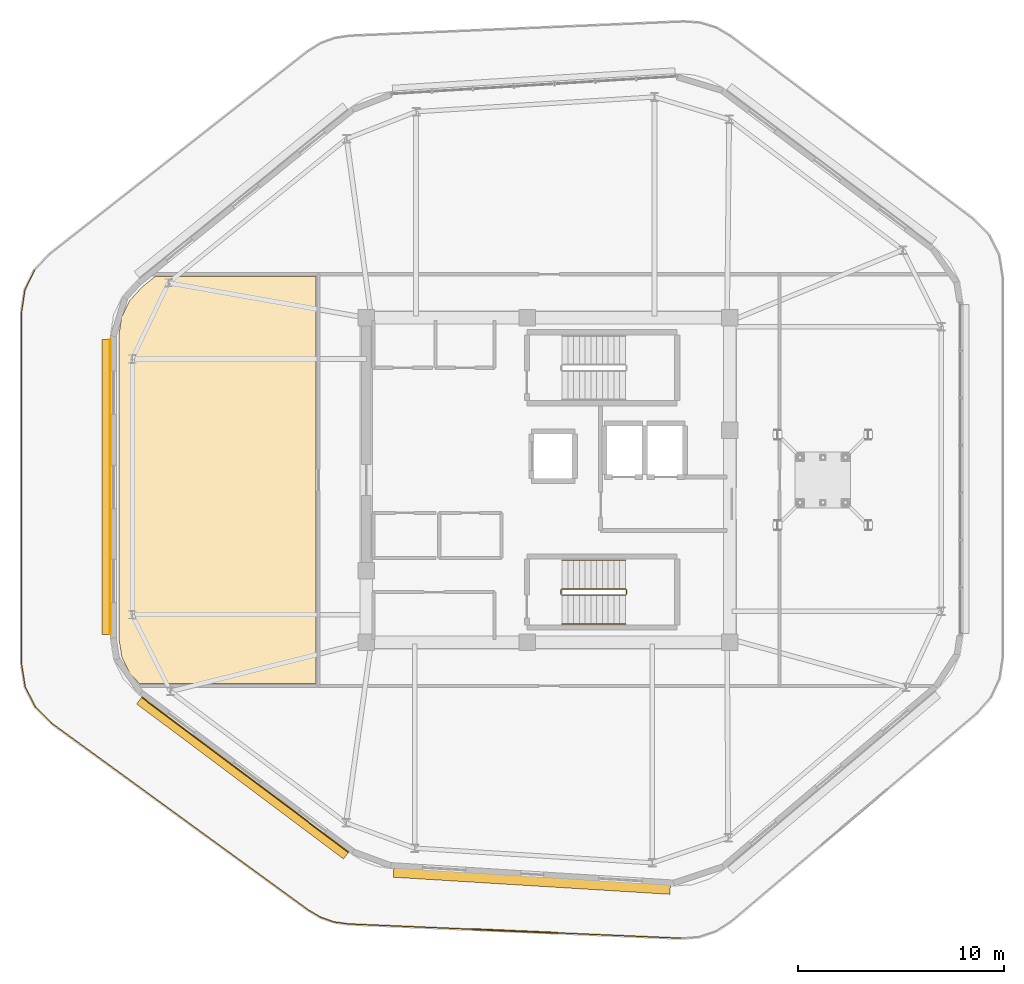
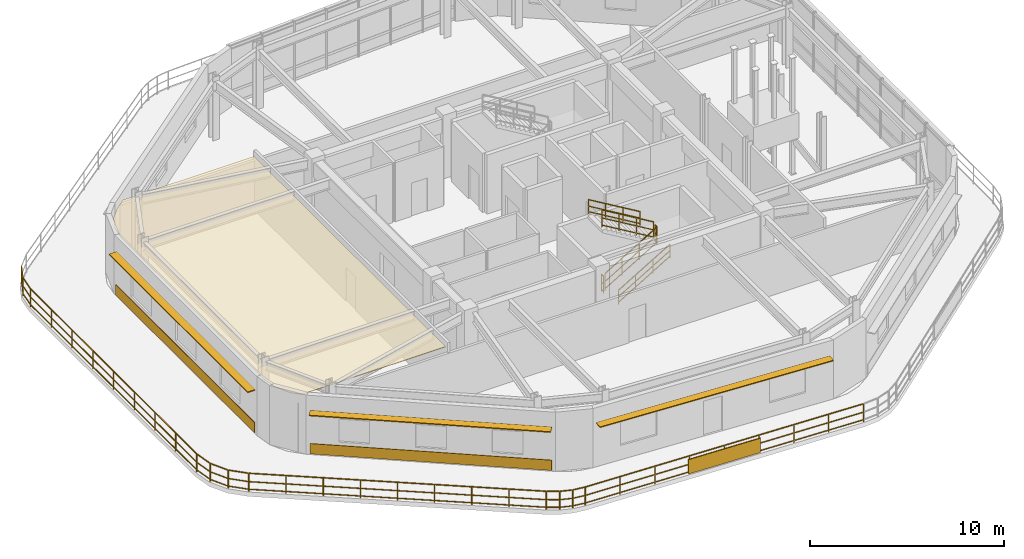
# One storey, part 11 of 13: 17 railings, 4 shading devices, 3 coverings.
"""IFC4 building model written with IfcOpenShell, lengths in metres."""

import ifcopenshell
import ifcopenshell.guid

model = None  # the IFC model being written
_history = None  # IfcOwnerHistory: only IFC2X3 demands one
_inside = {}  # id of a spatial element -> (the spatial element, [elements in it])
_under = {}  # id of a project, library or spatial element -> (it, [spatial elements below it])
_declared = {}  # id of a project -> (the project, [libraries it declares])
_typed = {}  # id of a type object -> (the type object, [elements of that type])
_made_of = {}  # id of a material, layer set ... -> (it, [elements and type objects made of it])


def new_model(schema):
    """Start an empty IFC model of exactly this schema.

    Asked for "IFC4X3", IfcOpenShell would pick the latest addendum, in which some entities
    have other attributes; the version numbers below select the first issue.
    IFC2X3 requires an IfcOwnerHistory on every rooted entity: one is made here for all.
    """
    global model, _history
    if schema == "IFC4X3":
        model = ifcopenshell.file(schema_version=(4, 3, 0, 0))
    else:
        model = ifcopenshell.file(schema=schema)
    _inside.clear()
    _under.clear()
    _declared.clear()
    _typed.clear()
    _made_of.clear()
    _history = None
    if model.schema == "IFC2X3":
        org = make("IfcOrganization", Name="unknown")
        user = make(
            "IfcPersonAndOrganization",
            ThePerson=make("IfcPerson", FamilyName="unknown"),
            TheOrganization=org,
        )
        app = make(
            "IfcApplication",
            ApplicationDeveloper=org,
            Version="unknown",
            ApplicationFullName="unknown",
            ApplicationIdentifier="unknown",
        )
        _history = make(
            "IfcOwnerHistory",
            OwningUser=user,
            OwningApplication=app,
            ChangeAction="ADDED",
            CreationDate=0,
        )
    return model


def make(cls, **values):
    """One entity of the class cls with the attributes given. An attribute that is None is left unset."""
    return model.create_entity(
        cls, **{name: value for name, value in values.items() if value is not None}
    )


def rooted(cls, **values):
    """An entity with a GlobalId (a new one), such as an element, a storey or a relation."""
    return make(cls, GlobalId=ifcopenshell.guid.new(), OwnerHistory=_history, **values)


def si_unit(unit_type, name, prefix=None):
    """IfcSIUnit, for example si_unit("LENGTHUNIT", "METRE", prefix="MILLI")."""
    return make("IfcSIUnit", UnitType=unit_type, Prefix=prefix, Name=name)


def assignment(units):
    """IfcUnitAssignment: the units of a project."""
    return None if units is None else make("IfcUnitAssignment", Units=units)


def point(xyz):
    """IfcCartesianPoint."""
    return None if xyz is None else make("IfcCartesianPoint", Coordinates=xyz)


def direction(xyz):
    """IfcDirection."""
    return None if xyz is None else make("IfcDirection", DirectionRatios=xyz)


def frame(location, z_axis=None, x_axis=None):
    """IfcAxis2Placement3D, a coordinate frame: its origin and axes. An axis left out is left unset."""
    return make(
        "IfcAxis2Placement3D",
        Location=point(location),
        Axis=direction(z_axis),
        RefDirection=direction(x_axis),
    )


def frame_2d(location, x_axis=None):
    """IfcAxis2Placement2D, a coordinate frame in the plane: its origin and x axis."""
    return make(
        "IfcAxis2Placement2D", Location=point(location), RefDirection=direction(x_axis)
    )


def origin():
    """The frame at (0, 0, 0) with its axes left unset."""
    return frame((0.0, 0.0, 0.0))


def origin_2d():
    """The frame at (0, 0) in the plane with its x axis left unset."""
    return frame_2d((0.0, 0.0))


def place(relative_to, where):
    """IfcLocalPlacement: puts the frame where relative to a parent placement (None: the world)."""
    return make(
        "IfcLocalPlacement", PlacementRelTo=relative_to, RelativePlacement=where
    )


def context(
    kind, dimensions, precision=None, world=None, true_north=None, identifier=None
):
    """IfcGeometricRepresentationContext, for example the 3D "Model" context."""
    return make(
        "IfcGeometricRepresentationContext",
        ContextIdentifier=identifier,
        ContextType=kind,
        CoordinateSpaceDimension=dimensions,
        Precision=precision,
        WorldCoordinateSystem=world,
        TrueNorth=true_north,
    )


def subcontext(parent, identifier, kind, view, scale=None):
    """IfcGeometricRepresentationSubContext, for example "Body" below "Model"."""
    return make(
        "IfcGeometricRepresentationSubContext",
        ContextIdentifier=identifier,
        ContextType=kind,
        ParentContext=parent,
        TargetScale=scale,
        TargetView=view,
    )


def project(units=None, contexts=None):
    """IfcProject with its units and contexts."""
    return rooted(
        "IfcProject",
        Name="project",
        RepresentationContexts=contexts,
        UnitsInContext=assignment(units),
    )


def spatial(cls, under=None, at=None, **own):
    """A site, building, storey or space (cls), placed at a placement, below another one or the project."""
    s = rooted(cls, ObjectPlacement=at, **own)
    if under is not None:
        _under.setdefault(under.id(), (under, []))[1].append(s)
    return s


def polyline(points):
    """IfcPolyline through the points."""
    return make("IfcPolyline", Points=[point(p) for p in points])


def profile(cls, at=None, kind="AREA", **sizes):
    """A parametric profile (cls). Its sizes go by their IFC names, for example OverallWidth=200.0."""
    return make(cls, ProfileType=kind, Position=at, **sizes)


def rectangle(**sizes):
    """IfcRectangleProfileDef."""
    return profile("IfcRectangleProfileDef", **sizes)


def outline(outer, holes=None, kind="AREA"):
    """IfcArbitraryClosedProfileDef: a profile drawn as a closed curve; with holes, ...WithVoids."""
    if holes is None:
        return make("IfcArbitraryClosedProfileDef", ProfileType=kind, OuterCurve=outer)
    return make(
        "IfcArbitraryProfileDefWithVoids",
        ProfileType=kind,
        OuterCurve=outer,
        InnerCurves=holes,
    )


def extrude(swept, where, along, depth):
    """IfcExtrudedAreaSolid: the profile swept, set in the frame where, extruded along a direction by depth."""
    return make(
        "IfcExtrudedAreaSolid",
        SweptArea=swept,
        Position=where,
        ExtrudedDirection=direction(along),
        Depth=depth,
    )


def shape(context_of_items, identifier, shape_type, items):
    """IfcShapeRepresentation: the items that make up one representation, for example the "Body"."""
    return make(
        "IfcShapeRepresentation",
        ContextOfItems=context_of_items,
        RepresentationIdentifier=identifier,
        RepresentationType=shape_type,
        Items=items,
    )


def material(Name=None, Category=None):
    """IfcMaterial."""
    return make("IfcMaterial", Name=Name, Category=Category)


def layer(
    of_material, thickness, ventilated=None, Name=None, Category=None, Priority=None
):
    """IfcMaterialLayer: one layer of a wall or slab, of a material (None: an air gap)."""
    return make(
        "IfcMaterialLayer",
        Material=of_material,
        LayerThickness=thickness,
        IsVentilated=ventilated,
        Name=Name,
        Category=Category,
        Priority=Priority,
    )


def layer_set(layers, Name=None):
    """IfcMaterialLayerSet."""
    return make("IfcMaterialLayerSet", MaterialLayers=layers, LayerSetName=Name)


def made_of(thing, what):
    """Note that an element or type object is made of a material, layer set ...; save() writes the relation."""
    if what is not None:
        _made_of.setdefault(what.id(), (what, []))[1].append(thing)
    return thing


def type_object(cls, material=None, **own):
    """A type object (cls), such as IfcWallType, which elements share."""
    return made_of(rooted(cls, **own), material)


def element(
    cls,
    number,
    at=None,
    inside=None,
    cuts=None,
    type_object=None,
    material=None,
    context=None,
    identifier="Body",
    shape_type=None,
    held_by="IfcProductDefinitionShape",
    body=None,
    shapes=None,
    **own,
):
    """One element of the class cls, such as IfcWall. Its Tag is "e" and its number.

    at: its placement. inside: the storey or other place that contains it. cuts: it is an
    opening in that element (IfcRelVoidsElement). A single representation is given by context,
    identifier, shape_type and body (its items); several are given by shapes. held_by: the class
    of the entity that holds the representations. save() writes the other relations.
    """
    e = rooted(cls, Tag="e%d" % number, ObjectPlacement=at, **own)
    if body is not None:
        shapes = [shape(context, identifier, shape_type, body)]
    if shapes is not None:
        e.Representation = make(held_by, Representations=shapes)
    if inside is not None:
        _inside.setdefault(inside.id(), (inside, []))[1].append(e)
    if cuts is not None:
        rooted(
            "IfcRelVoidsElement", RelatingBuildingElement=cuts, RelatedOpeningElement=e
        )
    if type_object is not None:
        _typed.setdefault(type_object.id(), (type_object, []))[1].append(e)
    return made_of(e, material)


def aggregate(whole, parts):
    """IfcRelAggregates: a whole, such as a stair, and the parts it consists of."""
    return rooted("IfcRelAggregates", RelatingObject=whole, RelatedObjects=parts)


def save(model, path):
    """Write the relations noted so far, then the file.

    IfcRelAggregates (storeys below a building ...), IfcRelContainedInSpatialStructure (elements
    in a storey), IfcRelDefinesByType, IfcRelAssociatesMaterial and IfcRelDeclares: one each for
    every whole, place, type object, material and project.
    """
    for whole, parts in _under.values():
        aggregate(whole, parts)
    for where, things in _inside.values():
        rooted(
            "IfcRelContainedInSpatialStructure",
            RelatedElements=things,
            RelatingStructure=where,
        )
    for kind, things in _typed.values():
        rooted("IfcRelDefinesByType", RelatedObjects=things, RelatingType=kind)
    for what, things in _made_of.values():
        rooted("IfcRelAssociatesMaterial", RelatedObjects=things, RelatingMaterial=what)
    for by, libraries in _declared.values():
        rooted("IfcRelDeclares", RelatingContext=by, RelatedDefinitions=libraries)
    model.write(path)


model = new_model("IFC4")

# Units and contexts
model_context = context("Model", 3, precision=1e-05, world=origin(), true_north=direction((0.0, 1.0)))
body_context = subcontext(model_context, "Body", "Model", "MODEL_VIEW")
ifc_project = project(units=[si_unit("LENGTHUNIT", "METRE"), si_unit("AREAUNIT", "SQUARE_METRE"), si_unit("VOLUMEUNIT", "CUBIC_METRE"), si_unit("PLANEANGLEUNIT", "RADIAN"), si_unit("MASSUNIT", "GRAM", prefix="KILO")], contexts=[model_context])

# Site, building, storey
site_placement = place(None, origin())
site = spatial("IfcSite", under=ifc_project, at=site_placement, CompositionType="ELEMENT")
building_placement = place(site_placement, origin())
building = spatial("IfcBuilding", under=site, at=building_placement, Name="Zulverin Broadcast Headquarters", CompositionType="ELEMENT")
storey_placement = place(building_placement, frame((0.0, 0.0, 313.39990234375)))
storey = spatial("IfcBuildingStorey", under=building, at=storey_placement, Name="C1", CompositionType="ELEMENT", Elevation=313.39990234375)

# Coverings
ifc_material_1 = material(Name="Perforated pale-metal acoustic baffle ceiling", Category="aluminium")
ifc_layer_1 = layer(ifc_material_1, 0.0400390625, Name="Perforated pale-metal acoustic baffle ceiling", Category="aluminium")
ifc_layer_set_1 = layer_set([ifc_layer_1], Name="Perforated pale-metal acoustic baffle ceiling")
covering_type_1 = type_object("IfcCoveringType", Name="COV-CEIL-ACOU", PredefinedType="CEILING", material=ifc_layer_set_1)
covering_1_placement = place(storey_placement, frame((0.0, 0.0, 3.39013671875)))
element("IfcCovering", 1, at=covering_1_placement, inside=storey, type_object=covering_type_1, Name="C1 Acoustic Baffle Ceiling 01", PredefinedType="CEILING", context=body_context, shape_type="SweptSolid", body=[
    extrude(outline(polyline([(18.736083984375, 33.10009765625), (18.60009765625, 32.196044921875), (18.60009765625, 17.531982421875), (18.748046875, 16.587890625), (19.159912109375, 15.763916015625), (19.595947265625, 15.320068359375), (28.179931640625, 15.320068359375), (28.179931640625, 35.080078125), (20.360107421875, 35.080078125), (19.736083984375, 34.575927734375), (19.115966796875, 33.89990234375), (18.736083984375, 33.10009765625)])), origin(), (0.0, 0.0, 1.0), 0.0400390625),
])
ifc_material_2 = material(Name="Brushed pale-aluminium rainscreen cladding", Category="aluminium")
ifc_layer_2 = layer(ifc_material_2, 0.0400390625, Name="Brushed pale-aluminium rainscreen cladding", Category="aluminium")
ifc_layer_set_2 = layer_set([ifc_layer_2], Name="Brushed pale-aluminium rainscreen cladding")
covering_type_2 = type_object("IfcCoveringType", Name="COV-CLAD-PALE", PredefinedType="CLADDING", material=ifc_layer_set_2)
covering_2_placement = place(storey_placement, frame((18.18994140625, 24.86328125, 0.05517578125), z_axis=(0.0, 0.0, 1.0), x_axis=(0.0, -1.0, 0.0)))
element("IfcCovering", 2, at=covering_2_placement, inside=storey, type_object=covering_type_2, Name="C1 Brushed Pale-Aluminium Spandrel Cladding 7", PredefinedType="CLADDING", context=body_context, shape_type="SweptSolid", body=[
    extrude(rectangle(XDim=14.32470703125, YDim=0.0400390625, at=origin_2d()), origin(), (0.0, 0.0, 1.0), 0.64990234375),
])
covering_3_placement = place(storey_placement, frame((24.739501953125, 10.886962890625, 0.05517578125), z_axis=(0.0, 0.0, 1.0), x_axis=(0.800248092733, -0.599669067134, 0.0)))
element("IfcCovering", 3, at=covering_3_placement, inside=storey, type_object=covering_type_2, Name="C1 Brushed Pale-Aluminium Spandrel Cladding 8", PredefinedType="CLADDING", context=body_context, shape_type="SweptSolid", body=[
    extrude(rectangle(XDim=12.556884765625, YDim=0.0400390625, at=origin_2d()), origin(), (0.0, 0.0, 1.0), 0.64990234375),
])

# Railings
ifc_material_3 = material(Name="Brushed stainless steel & laminated glass balustrade", Category="steel")
railing_type_1 = type_object("IfcRailingType", Name="RL-GUARD-1150", PredefinedType="GUARDRAIL", material=ifc_material_3)
railing_1_placement = place(storey_placement, frame((27.801513671875, 4.314697265625, 0.0)))
element("IfcRailing", 4, at=railing_1_placement, inside=storey, type_object=railing_type_1, Name="C1 Stepped Crown Terrace Perimeter Balustrade Segment 01", PredefinedType="GUARDRAIL", context=body_context, shape_type="SweptSolid", body=[
    extrude(rectangle(XDim=0.048095703125, YDim=0.048095703125, at=origin_2d()), frame((0.0, 0.0, 1.1259765625), z_axis=(-0.808704549938, 0.588215054984, 0.0), x_axis=(-0.588215054984, -0.808704549938, 0.0)), (0.0, 0.0, 1.0), 15.40087890625),
    extrude(rectangle(XDim=0.0419921875, YDim=0.0419921875, at=origin_2d()), frame((0.0, 0.0, 0.597900390625), z_axis=(-0.808704549938, 0.588215054984, 0.0), x_axis=(-0.588215054984, -0.808704549938, 0.0)), (0.0, 0.0, 1.0), 15.40087890625),
    extrude(rectangle(XDim=0.0419921875, YDim=0.0419921875, at=origin_2d()), frame((0.0, 0.0, 0.1201171875), z_axis=(-0.808704549938, 0.588215054984, 0.0), x_axis=(-0.588215054984, -0.808704549938, 0.0)), (0.0, 0.0, 1.0), 15.40087890625),
    extrude(rectangle(XDim=0.0419921875, YDim=0.0419921875, at=origin_2d()), origin(), (0.0, 0.0, 1.0), 1.101806640625),
    extrude(rectangle(XDim=0.0419921875, YDim=0.0419921875, at=origin_2d()), frame((-1.556884765625, 1.13232421875, 0.0)), (0.0, 0.0, 1.0), 1.101806640625),
    extrude(rectangle(XDim=0.0419921875, YDim=0.0419921875, at=origin_2d()), frame((-3.11376953125, 2.2646484375, 0.0)), (0.0, 0.0, 1.0), 1.101806640625),
    extrude(rectangle(XDim=0.0419921875, YDim=0.0419921875, at=origin_2d()), frame((-4.670654296875, 3.397216796875, 0.0)), (0.0, 0.0, 1.0), 1.101806640625),
    extrude(rectangle(XDim=0.0419921875, YDim=0.0419921875, at=origin_2d()), frame((-6.2275390625, 4.529541015625, 0.0)), (0.0, 0.0, 1.0), 1.101806640625),
    extrude(rectangle(XDim=0.0419921875, YDim=0.0419921875, at=origin_2d()), frame((-7.7841796875, 5.661865234375, 0.0)), (0.0, 0.0, 1.0), 1.101806640625),
    extrude(rectangle(XDim=0.0419921875, YDim=0.0419921875, at=origin_2d()), frame((-9.341064453125, 6.79443359375, 0.0)), (0.0, 0.0, 1.0), 1.101806640625),
    extrude(rectangle(XDim=0.0419921875, YDim=0.0419921875, at=origin_2d()), frame((-10.89794921875, 7.9267578125, 0.0)), (0.0, 0.0, 1.0), 1.101806640625),
    extrude(rectangle(XDim=0.0419921875, YDim=0.0419921875, at=origin_2d()), frame((-12.454833984375, 9.05908203125, 0.0)), (0.0, 0.0, 1.0), 1.101806640625),
])
railing_2_placement = place(storey_placement, frame((15.323974609375, 13.393310546875, 0.0)))
element("IfcRailing", 5, at=railing_2_placement, inside=storey, type_object=railing_type_1, Name="C1 Stepped Crown Terrace Perimeter Balustrade Segment 02", PredefinedType="GUARDRAIL", context=body_context, shape_type="SweptSolid", body=[
    extrude(rectangle(XDim=0.048095703125, YDim=0.048095703125, at=origin_2d()), frame((0.0, 0.0, 1.1259765625), z_axis=(-0.706766580725, 0.70744681805, 0.0), x_axis=(-0.70744681805, -0.706766580725, 0.0)), (0.0, 0.0, 1.0), 1.07666015625),
    extrude(rectangle(XDim=0.0419921875, YDim=0.0419921875, at=origin_2d()), frame((0.0, 0.0, 0.597900390625), z_axis=(-0.706766580725, 0.70744681805, 0.0), x_axis=(-0.70744681805, -0.706766580725, 0.0)), (0.0, 0.0, 1.0), 1.07666015625),
    extrude(rectangle(XDim=0.0419921875, YDim=0.0419921875, at=origin_2d()), frame((0.0, 0.0, 0.1201171875), z_axis=(-0.706766580725, 0.70744681805, 0.0), x_axis=(-0.70744681805, -0.706766580725, 0.0)), (0.0, 0.0, 1.0), 1.07666015625),
    extrude(rectangle(XDim=0.0419921875, YDim=0.0419921875, at=origin_2d()), origin(), (0.0, 0.0, 1.0), 1.101806640625),
    extrude(rectangle(XDim=0.0419921875, YDim=0.0419921875, at=origin_2d()), frame((-0.760986328125, 0.76171875, 0.0)), (0.0, 0.0, 1.0), 1.101806640625),
])
railing_3_placement = place(storey_placement, frame((14.54541015625, 14.17919921875, 0.0)))
element("IfcRailing", 6, at=railing_3_placement, inside=storey, type_object=railing_type_1, Name="C1 Stepped Crown Terrace Perimeter Balustrade Segment 03", PredefinedType="GUARDRAIL", context=body_context, shape_type="SweptSolid", body=[
    extrude(rectangle(XDim=0.048095703125, YDim=0.048095703125, at=origin_2d()), frame((0.0, 0.0, 1.1259765625), z_axis=(-0.453771982762, 0.891117830402, 0.0), x_axis=(-0.891117830402, -0.453771982762, 0.0)), (0.0, 0.0, 1.0), 1.070068359375),
    extrude(rectangle(XDim=0.0419921875, YDim=0.0419921875, at=origin_2d()), frame((0.0, 0.0, 0.597900390625), z_axis=(-0.453771982762, 0.891117830402, 0.0), x_axis=(-0.891117830402, -0.453771982762, 0.0)), (0.0, 0.0, 1.0), 1.070068359375),
    extrude(rectangle(XDim=0.0419921875, YDim=0.0419921875, at=origin_2d()), frame((0.0, 0.0, 0.1201171875), z_axis=(-0.453771982762, 0.891117830402, 0.0), x_axis=(-0.891117830402, -0.453771982762, 0.0)), (0.0, 0.0, 1.0), 1.070068359375),
    extrude(rectangle(XDim=0.0419921875, YDim=0.0419921875, at=origin_2d()), origin(), (0.0, 0.0, 1.0), 1.101806640625),
    extrude(rectangle(XDim=0.0419921875, YDim=0.0419921875, at=origin_2d()), frame((-0.485595703125, 0.95361328125, 0.0)), (0.0, 0.0, 1.0), 1.101806640625),
])
railing_4_placement = place(storey_placement, frame((14.05078125, 15.160888671875, 0.0)))
element("IfcRailing", 7, at=railing_4_placement, inside=storey, type_object=railing_type_1, Name="C1 Stepped Crown Terrace Perimeter Balustrade Segment 04", PredefinedType="GUARDRAIL", context=body_context, shape_type="SweptSolid", body=[
    extrude(rectangle(XDim=0.048095703125, YDim=0.048095703125, at=origin_2d()), frame((0.0, 0.0, 1.1259765625), z_axis=(-0.156416550984, 0.987691177736, 0.0), x_axis=(-0.987691177736, -0.156416550984, 0.0)), (0.0, 0.0, 1.0), 1.076904296875),
    extrude(rectangle(XDim=0.0419921875, YDim=0.0419921875, at=origin_2d()), frame((0.0, 0.0, 0.597900390625), z_axis=(-0.156416550984, 0.987691177736, 0.0), x_axis=(-0.987691177736, -0.156416550984, 0.0)), (0.0, 0.0, 1.0), 1.076904296875),
    extrude(rectangle(XDim=0.0419921875, YDim=0.0419921875, at=origin_2d()), frame((0.0, 0.0, 0.1201171875), z_axis=(-0.156416550984, 0.987691177736, 0.0), x_axis=(-0.987691177736, -0.156416550984, 0.0)), (0.0, 0.0, 1.0), 1.076904296875),
    extrude(rectangle(XDim=0.0419921875, YDim=0.0419921875, at=origin_2d()), origin(), (0.0, 0.0, 1.0), 1.101806640625),
    extrude(rectangle(XDim=0.0419921875, YDim=0.0419921875, at=origin_2d()), frame((-0.16845703125, 1.063720703125, 0.0)), (0.0, 0.0, 1.0), 1.101806640625),
])
railing_5_placement = place(storey_placement, frame((13.8798828125, 16.25439453125, 0.0)))
element("IfcRailing", 8, at=railing_5_placement, inside=storey, type_object=railing_type_1, Name="C1 Stepped Crown Terrace Perimeter Balustrade Segment 05", PredefinedType="GUARDRAIL", context=body_context, shape_type="SweptSolid", body=[
    extrude(rectangle(XDim=0.048095703125, YDim=0.048095703125, at=origin_2d()), frame((0.0, 0.0, 1.1259765625), z_axis=(0.0, 1.0, 0.0), x_axis=(-1.0, 0.0, 0.0)), (0.0, 0.0, 1.0), 17.110595703125),
    extrude(rectangle(XDim=0.0419921875, YDim=0.0419921875, at=origin_2d()), frame((0.0, 0.0, 0.597900390625), z_axis=(0.0, 1.0, 0.0), x_axis=(-1.0, 0.0, 0.0)), (0.0, 0.0, 1.0), 17.110595703125),
    extrude(rectangle(XDim=0.0419921875, YDim=0.0419921875, at=origin_2d()), frame((0.0, 0.0, 0.1201171875), z_axis=(0.0, 1.0, 0.0), x_axis=(-1.0, 0.0, 0.0)), (0.0, 0.0, 1.0), 17.110595703125),
    extrude(rectangle(XDim=0.0419921875, YDim=0.0419921875, at=origin_2d()), origin(), (0.0, 0.0, 1.0), 1.101806640625),
    extrude(rectangle(XDim=0.0419921875, YDim=0.0419921875, at=origin_2d()), frame((0.0, 2.138916015625, 0.0)), (0.0, 0.0, 1.0), 1.101806640625),
    extrude(rectangle(XDim=0.0419921875, YDim=0.0419921875, at=origin_2d()), frame((0.0, 4.277587890625, 0.0)), (0.0, 0.0, 1.0), 1.101806640625),
    extrude(rectangle(XDim=0.0419921875, YDim=0.0419921875, at=origin_2d()), frame((0.0, 6.41650390625, 0.0)), (0.0, 0.0, 1.0), 1.101806640625),
    extrude(rectangle(XDim=0.0419921875, YDim=0.0419921875, at=origin_2d()), frame((0.0, 8.55517578125, 0.0)), (0.0, 0.0, 1.0), 1.101806640625),
    extrude(rectangle(XDim=0.0419921875, YDim=0.0419921875, at=origin_2d()), frame((0.0, 10.694091796875, 0.0)), (0.0, 0.0, 1.0), 1.101806640625),
    extrude(rectangle(XDim=0.0419921875, YDim=0.0419921875, at=origin_2d()), frame((0.0, 12.8330078125, 0.0)), (0.0, 0.0, 1.0), 1.101806640625),
    extrude(rectangle(XDim=0.0419921875, YDim=0.0419921875, at=origin_2d()), frame((0.0, 14.9716796875, 0.0)), (0.0, 0.0, 1.0), 1.101806640625),
    extrude(rectangle(XDim=0.0419921875, YDim=0.0419921875, at=origin_2d()), frame((0.0, 17.110595703125, 0.0)), (0.0, 0.0, 1.0), 1.101806640625),
])
railing_6_placement = place(storey_placement, frame((13.88232421875, 33.39501953125, 0.0)))
element("IfcRailing", 9, at=railing_6_placement, inside=storey, type_object=railing_type_1, Name="C1 Stepped Crown Terrace Perimeter Balustrade Segment 06", PredefinedType="GUARDRAIL", context=body_context, shape_type="SweptSolid", body=[
    extrude(rectangle(XDim=0.048095703125, YDim=0.048095703125, at=origin_2d()), frame((0.0, 0.0, 1.1259765625), z_axis=(0.150246239862, 0.988648606638, 0.0), x_axis=(-0.988648606638, 0.150246239862, 0.0)), (0.0, 0.0, 1.0), 1.033447265625),
    extrude(rectangle(XDim=0.0419921875, YDim=0.0419921875, at=origin_2d()), frame((0.0, 0.0, 0.597900390625), z_axis=(0.150246239862, 0.988648606638, 0.0), x_axis=(-0.988648606638, 0.150246239862, 0.0)), (0.0, 0.0, 1.0), 1.033447265625),
    extrude(rectangle(XDim=0.0419921875, YDim=0.0419921875, at=origin_2d()), frame((0.0, 0.0, 0.1201171875), z_axis=(0.150246239862, 0.988648606638, 0.0), x_axis=(-0.988648606638, 0.150246239862, 0.0)), (0.0, 0.0, 1.0), 1.033447265625),
    extrude(rectangle(XDim=0.0419921875, YDim=0.0419921875, at=origin_2d()), origin(), (0.0, 0.0, 1.0), 1.101806640625),
    extrude(rectangle(XDim=0.0419921875, YDim=0.0419921875, at=origin_2d()), frame((0.1552734375, 1.021728515625, 0.0)), (0.0, 0.0, 1.0), 1.101806640625),
])
railing_7_placement = place(storey_placement, frame((14.04638671875, 34.445068359375, 0.0)))
element("IfcRailing", 10, at=railing_7_placement, inside=storey, type_object=railing_type_1, Name="C1 Stepped Crown Terrace Perimeter Balustrade Segment 07", PredefinedType="GUARDRAIL", context=body_context, shape_type="SweptSolid", body=[
    extrude(rectangle(XDim=0.048095703125, YDim=0.048095703125, at=origin_2d()), frame((0.0, 0.0, 1.1259765625), z_axis=(0.43720605373, 0.89936136596, 0.0), x_axis=(-0.89936136596, 0.43720605373, 0.0)), (0.0, 0.0, 1.0), 1.027587890625),
    extrude(rectangle(XDim=0.0419921875, YDim=0.0419921875, at=origin_2d()), frame((0.0, 0.0, 0.597900390625), z_axis=(0.43720605373, 0.89936136596, 0.0), x_axis=(-0.89936136596, 0.43720605373, 0.0)), (0.0, 0.0, 1.0), 1.027587890625),
    extrude(rectangle(XDim=0.0419921875, YDim=0.0419921875, at=origin_2d()), frame((0.0, 0.0, 0.1201171875), z_axis=(0.43720605373, 0.89936136596, 0.0), x_axis=(-0.89936136596, 0.43720605373, 0.0)), (0.0, 0.0, 1.0), 1.027587890625),
    extrude(rectangle(XDim=0.0419921875, YDim=0.0419921875, at=origin_2d()), origin(), (0.0, 0.0, 1.0), 1.101806640625),
    extrude(rectangle(XDim=0.0419921875, YDim=0.0419921875, at=origin_2d()), frame((0.44921875, 0.924072265625, 0.0)), (0.0, 0.0, 1.0), 1.101806640625),
])
railing_8_placement = place(storey_placement, frame((45.907958984375, 2.94091796875, 0.0)))
element("IfcRailing", 11, at=railing_8_placement, inside=storey, type_object=railing_type_1, Name="C1 Stepped Crown Terrace Perimeter Balustrade Segment 29", PredefinedType="GUARDRAIL", context=body_context, shape_type="SweptSolid", body=[
    extrude(rectangle(XDim=0.048095703125, YDim=0.048095703125, at=origin_2d()), frame((0.0, 0.0, 1.1259765625), z_axis=(-0.999083818443, 0.04279630504, 0.0), x_axis=(-0.04279630504, -0.999083818443, 0.0)), (0.0, 0.0, 1.0), 16.167236328125),
    extrude(rectangle(XDim=0.0419921875, YDim=0.0419921875, at=origin_2d()), frame((0.0, 0.0, 0.597900390625), z_axis=(-0.999083818443, 0.04279630504, 0.0), x_axis=(-0.04279630504, -0.999083818443, 0.0)), (0.0, 0.0, 1.0), 16.167236328125),
    extrude(rectangle(XDim=0.0419921875, YDim=0.0419921875, at=origin_2d()), frame((0.0, 0.0, 0.1201171875), z_axis=(-0.999083818443, 0.04279630504, 0.0), x_axis=(-0.04279630504, -0.999083818443, 0.0)), (0.0, 0.0, 1.0), 16.167236328125),
    extrude(rectangle(XDim=0.0419921875, YDim=0.0419921875, at=origin_2d()), origin(), (0.0, 0.0, 1.0), 1.101806640625),
    extrude(rectangle(XDim=0.0419921875, YDim=0.0419921875, at=origin_2d()), frame((-2.01904296875, 0.08642578125, 0.0)), (0.0, 0.0, 1.0), 1.101806640625),
    extrude(rectangle(XDim=0.0419921875, YDim=0.0419921875, at=origin_2d()), frame((-4.0380859375, 0.1728515625, 0.0)), (0.0, 0.0, 1.0), 1.101806640625),
    extrude(rectangle(XDim=0.0419921875, YDim=0.0419921875, at=origin_2d()), frame((-6.05712890625, 0.259521484375, 0.0)), (0.0, 0.0, 1.0), 1.101806640625),
    extrude(rectangle(XDim=0.0419921875, YDim=0.0419921875, at=origin_2d()), frame((-8.076171875, 0.345947265625, 0.0)), (0.0, 0.0, 1.0), 1.101806640625),
    extrude(rectangle(XDim=0.0419921875, YDim=0.0419921875, at=origin_2d()), frame((-10.09521484375, 0.432373046875, 0.0)), (0.0, 0.0, 1.0), 1.101806640625),
    extrude(rectangle(XDim=0.0419921875, YDim=0.0419921875, at=origin_2d()), frame((-12.1142578125, 0.51904296875, 0.0)), (0.0, 0.0, 1.0), 1.101806640625),
    extrude(rectangle(XDim=0.0419921875, YDim=0.0419921875, at=origin_2d()), frame((-14.13330078125, 0.60546875, 0.0)), (0.0, 0.0, 1.0), 1.101806640625),
    extrude(rectangle(XDim=0.0419921875, YDim=0.0419921875, at=origin_2d()), frame((-16.15234375, 0.69189453125, 0.0)), (0.0, 0.0, 1.0), 1.101806640625),
])
railing_9_placement = place(storey_placement, frame((29.7255859375, 3.635498046875, 0.0)))
element("IfcRailing", 12, at=railing_9_placement, inside=storey, type_object=railing_type_1, Name="C1 Stepped Crown Terrace Perimeter Balustrade Segment 30", PredefinedType="GUARDRAIL", context=body_context, shape_type="SweptSolid", body=[
    extrude(rectangle(XDim=0.048095703125, YDim=0.048095703125, at=origin_2d()), frame((0.0, 0.0, 1.1259765625), z_axis=(-0.990177519724, 0.139815876898, 0.0), x_axis=(-0.139815876898, -0.990177519724, 0.0)), (0.0, 0.0, 1.0), 0.66015625),
    extrude(rectangle(XDim=0.0419921875, YDim=0.0419921875, at=origin_2d()), frame((0.0, 0.0, 0.597900390625), z_axis=(-0.990177519724, 0.139815876898, 0.0), x_axis=(-0.139815876898, -0.990177519724, 0.0)), (0.0, 0.0, 1.0), 0.66015625),
    extrude(rectangle(XDim=0.0419921875, YDim=0.0419921875, at=origin_2d()), frame((0.0, 0.0, 0.1201171875), z_axis=(-0.990177519724, 0.139815876898, 0.0), x_axis=(-0.139815876898, -0.990177519724, 0.0)), (0.0, 0.0, 1.0), 0.66015625),
    extrude(rectangle(XDim=0.0419921875, YDim=0.0419921875, at=origin_2d()), origin(), (0.0, 0.0, 1.0), 1.101806640625),
    extrude(rectangle(XDim=0.0419921875, YDim=0.0419921875, at=origin_2d()), frame((-0.653564453125, 0.09228515625, 0.0)), (0.0, 0.0, 1.0), 1.101806640625),
])
railing_10_placement = place(storey_placement, frame((29.042724609375, 3.73486328125, 0.0)))
element("IfcRailing", 13, at=railing_10_placement, inside=storey, type_object=railing_type_1, Name="C1 Stepped Crown Terrace Perimeter Balustrade Segment 31", PredefinedType="GUARDRAIL", context=body_context, shape_type="SweptSolid", body=[
    extrude(rectangle(XDim=0.048095703125, YDim=0.048095703125, at=origin_2d()), frame((0.0, 0.0, 1.1259765625), z_axis=(-0.944124824952, 0.32958809886, 0.0), x_axis=(-0.32958809886, -0.944124824952, 0.0)), (0.0, 0.0, 1.0), 0.65625),
    extrude(rectangle(XDim=0.0419921875, YDim=0.0419921875, at=origin_2d()), frame((0.0, 0.0, 0.597900390625), z_axis=(-0.944124824952, 0.32958809886, 0.0), x_axis=(-0.32958809886, -0.944124824952, 0.0)), (0.0, 0.0, 1.0), 0.65625),
    extrude(rectangle(XDim=0.0419921875, YDim=0.0419921875, at=origin_2d()), frame((0.0, 0.0, 0.1201171875), z_axis=(-0.944124824952, 0.32958809886, 0.0), x_axis=(-0.32958809886, -0.944124824952, 0.0)), (0.0, 0.0, 1.0), 0.65625),
    extrude(rectangle(XDim=0.0419921875, YDim=0.0419921875, at=origin_2d()), origin(), (0.0, 0.0, 1.0), 1.101806640625),
    extrude(rectangle(XDim=0.0419921875, YDim=0.0419921875, at=origin_2d()), frame((-0.61962890625, 0.21630859375, 0.0)), (0.0, 0.0, 1.0), 1.101806640625),
])
railing_11_placement = place(storey_placement, frame((28.39599609375, 3.963623046875, 0.0)))
element("IfcRailing", 14, at=railing_11_placement, inside=storey, type_object=railing_type_1, Name="C1 Stepped Crown Terrace Perimeter Balustrade Segment 32", PredefinedType="GUARDRAIL", context=body_context, shape_type="SweptSolid", body=[
    extrude(rectangle(XDim=0.048095703125, YDim=0.048095703125, at=origin_2d()), frame((0.0, 0.0, 1.1259765625), z_axis=(-0.862152633216, 0.506648632721, 0.0), x_axis=(-0.506648632721, -0.862152633216, 0.0)), (0.0, 0.0, 1.0), 0.66064453125),
    extrude(rectangle(XDim=0.0419921875, YDim=0.0419921875, at=origin_2d()), frame((0.0, 0.0, 0.597900390625), z_axis=(-0.862152633216, 0.506648632721, 0.0), x_axis=(-0.506648632721, -0.862152633216, 0.0)), (0.0, 0.0, 1.0), 0.66064453125),
    extrude(rectangle(XDim=0.0419921875, YDim=0.0419921875, at=origin_2d()), frame((0.0, 0.0, 0.1201171875), z_axis=(-0.862152633216, 0.506648632721, 0.0), x_axis=(-0.506648632721, -0.862152633216, 0.0)), (0.0, 0.0, 1.0), 0.66064453125),
    extrude(rectangle(XDim=0.0419921875, YDim=0.0419921875, at=origin_2d()), origin(), (0.0, 0.0, 1.0), 1.101806640625),
    extrude(rectangle(XDim=0.0419921875, YDim=0.0419921875, at=origin_2d()), frame((-0.569580078125, 0.334716796875, 0.0)), (0.0, 0.0, 1.0), 1.101806640625),
])
ifc_material_4 = material(Name="Painted galvanized steel tubular guardrail S355JR", Category="steel")
railing_type_2 = type_object("IfcRailingType", Name="RL-ST-GUARD", PredefinedType="GUARDRAIL", material=ifc_material_4)
railing_12_placement = place(storey_placement, frame((40.1298828125, 19.60009765625, 0.166748046875)))
element("IfcRailing", 15, at=railing_12_placement, inside=storey, type_object=railing_type_2, Name="C1 ST-2 stair guard 1", PredefinedType="GUARDRAIL", context=body_context, shape_type="SweptSolid", body=[
    extrude(rectangle(XDim=0.048095703125, YDim=0.048095703125, at=origin_2d()), frame((0.0, 0.0, 1.076171875), z_axis=(0.859308565015, 0.0, 0.511457515432), x_axis=(0.0, 1.0, 0.0)), (0.0, 0.0, 1.0), 3.58447265625),
    extrude(rectangle(XDim=0.0419921875, YDim=0.0419921875, at=origin_2d()), frame((0.0, 0.0, 0.572021484375), z_axis=(0.859308565015, 0.0, 0.511457515432), x_axis=(0.0, 1.0, 0.0)), (0.0, 0.0, 1.0), 3.58447265625),
    extrude(rectangle(XDim=0.0419921875, YDim=0.0419921875, at=origin_2d()), frame((0.0, 0.0, 0.1201171875), z_axis=(0.859308565015, 0.0, 0.511457515432), x_axis=(0.0, 1.0, 0.0)), (0.0, 0.0, 1.0), 3.58447265625),
    extrude(rectangle(XDim=0.0419921875, YDim=0.0419921875, at=origin_2d()), origin(), (0.0, 0.0, 1.0), 1.052001953125),
    extrude(rectangle(XDim=0.0419921875, YDim=0.0419921875, at=origin_2d()), frame((1.026611328125, 0.0, 0.611083984375)), (0.0, 0.0, 1.0), 1.052001953125),
    extrude(rectangle(XDim=0.0419921875, YDim=0.0419921875, at=origin_2d()), frame((2.053466796875, 0.0, 1.22216796875)), (0.0, 0.0, 1.0), 1.052001953125),
    extrude(rectangle(XDim=0.0419921875, YDim=0.0419921875, at=origin_2d()), frame((3.080078125, 0.0, 1.833251953125)), (0.0, 0.0, 1.0), 1.052001953125),
])
railing_13_placement = place(storey_placement, frame((43.260009765625, 19.64990234375, 2.0)))
element("IfcRailing", 16, at=railing_13_placement, inside=storey, type_object=railing_type_2, Name="C1 ST-2 stair guard 2", PredefinedType="GUARDRAIL", context=body_context, shape_type="SweptSolid", body=[
    extrude(rectangle(XDim=0.048095703125, YDim=0.048095703125, at=origin_2d()), frame((0.0, 0.0, 1.076171875), z_axis=(0.0, 1.0, 0.0), x_axis=(-1.0, 0.0, 0.0)), (0.0, 0.0, 1.0), 0.2001953125),
    extrude(rectangle(XDim=0.0419921875, YDim=0.0419921875, at=origin_2d()), frame((0.0, 0.0, 0.572021484375), z_axis=(0.0, 1.0, 0.0), x_axis=(-1.0, 0.0, 0.0)), (0.0, 0.0, 1.0), 0.2001953125),
    extrude(rectangle(XDim=0.0419921875, YDim=0.0419921875, at=origin_2d()), frame((0.0, 0.0, 0.1201171875), z_axis=(0.0, 1.0, 0.0), x_axis=(-1.0, 0.0, 0.0)), (0.0, 0.0, 1.0), 0.2001953125),
    extrude(rectangle(XDim=0.0419921875, YDim=0.0419921875, at=origin_2d()), origin(), (0.0, 0.0, 1.0), 1.052001953125),
    extrude(rectangle(XDim=0.0419921875, YDim=0.0419921875, at=origin_2d()), frame((0.0, 0.2001953125, 0.0)), (0.0, 0.0, 1.0), 1.052001953125),
])
railing_14_placement = place(storey_placement, frame((43.2099609375, 19.89990234375, 2.166748046875)))
element("IfcRailing", 17, at=railing_14_placement, inside=storey, type_object=railing_type_2, Name="C1 ST-2 stair guard 3", PredefinedType="GUARDRAIL", context=body_context, shape_type="SweptSolid", body=[
    extrude(rectangle(XDim=0.048095703125, YDim=0.048095703125, at=origin_2d()), frame((0.0, 0.0, 1.076171875), z_axis=(-0.859308565015, 0.0, 0.511457515432), x_axis=(0.0, -1.0, 0.0)), (0.0, 0.0, 1.0), 3.58447265625),
    extrude(rectangle(XDim=0.0419921875, YDim=0.0419921875, at=origin_2d()), frame((0.0, 0.0, 0.572021484375), z_axis=(-0.859308565015, 0.0, 0.511457515432), x_axis=(0.0, -1.0, 0.0)), (0.0, 0.0, 1.0), 3.58447265625),
    extrude(rectangle(XDim=0.0419921875, YDim=0.0419921875, at=origin_2d()), frame((0.0, 0.0, 0.1201171875), z_axis=(-0.859308565015, 0.0, 0.511457515432), x_axis=(0.0, -1.0, 0.0)), (0.0, 0.0, 1.0), 3.58447265625),
    extrude(rectangle(XDim=0.0419921875, YDim=0.0419921875, at=origin_2d()), origin(), (0.0, 0.0, 1.0), 1.052001953125),
    extrude(rectangle(XDim=0.0419921875, YDim=0.0419921875, at=origin_2d()), frame((-1.026611328125, 0.0, 0.611083984375)), (0.0, 0.0, 1.0), 1.052001953125),
    extrude(rectangle(XDim=0.0419921875, YDim=0.0419921875, at=origin_2d()), frame((-2.053466796875, 0.0, 1.22216796875)), (0.0, 0.0, 1.0), 1.052001953125),
    extrude(rectangle(XDim=0.0419921875, YDim=0.0419921875, at=origin_2d()), frame((-3.080078125, 0.0, 1.833251953125)), (0.0, 0.0, 1.0), 1.052001953125),
])
railing_15_placement = place(storey_placement, frame((40.080078125, 19.64990234375, 0.0)))
element("IfcRailing", 18, at=railing_15_placement, inside=storey, type_object=railing_type_2, Name="C1 ST-2 stair guard 4", PredefinedType="GUARDRAIL", context=body_context, shape_type="SweptSolid", body=[
    extrude(rectangle(XDim=0.048095703125, YDim=0.048095703125, at=origin_2d()), frame((0.0, 0.0, 1.076171875), z_axis=(0.0, 1.0, 0.0), x_axis=(-1.0, 0.0, 0.0)), (0.0, 0.0, 1.0), 0.2001953125),
    extrude(rectangle(XDim=0.0419921875, YDim=0.0419921875, at=origin_2d()), frame((0.0, 0.0, 0.572021484375), z_axis=(0.0, 1.0, 0.0), x_axis=(-1.0, 0.0, 0.0)), (0.0, 0.0, 1.0), 0.2001953125),
    extrude(rectangle(XDim=0.0419921875, YDim=0.0419921875, at=origin_2d()), frame((0.0, 0.0, 0.1201171875), z_axis=(0.0, 1.0, 0.0), x_axis=(-1.0, 0.0, 0.0)), (0.0, 0.0, 1.0), 0.2001953125),
    extrude(rectangle(XDim=0.0419921875, YDim=0.0419921875, at=origin_2d()), origin(), (0.0, 0.0, 1.0), 1.052001953125),
    extrude(rectangle(XDim=0.0419921875, YDim=0.0419921875, at=origin_2d()), frame((0.0, 0.2001953125, 0.0)), (0.0, 0.0, 1.0), 1.052001953125),
])
ifc_material_5 = material(Name="Brushed stainless steel 48 mm handrail", Category="steel")
railing_type_3 = type_object("IfcRailingType", Name="RL-ST-HAND", PredefinedType="HANDRAIL", material=ifc_material_5)
railing_16_placement = place(storey_placement, frame((40.1298828125, 18.199951171875, 0.166748046875)))
element("IfcRailing", 19, at=railing_16_placement, inside=storey, type_object=railing_type_3, Name="C1 ST-2 stair handrail 1", PredefinedType="HANDRAIL", context=body_context, shape_type="SweptSolid", body=[
    extrude(rectangle(XDim=0.048095703125, YDim=0.048095703125, at=origin_2d()), frame((0.0, 0.0, 0.8759765625), z_axis=(0.859308565015, 0.0, 0.511457515432), x_axis=(0.0, 1.0, 0.0)), (0.0, 0.0, 1.0), 3.58447265625),
    extrude(rectangle(XDim=0.0419921875, YDim=0.0419921875, at=origin_2d()), frame((0.0, 0.0, 0.468017578125), z_axis=(0.859308565015, 0.0, 0.511457515432), x_axis=(0.0, 1.0, 0.0)), (0.0, 0.0, 1.0), 3.58447265625),
    extrude(rectangle(XDim=0.0419921875, YDim=0.0419921875, at=origin_2d()), frame((0.0, 0.0, 0.1201171875), z_axis=(0.859308565015, 0.0, 0.511457515432), x_axis=(0.0, 1.0, 0.0)), (0.0, 0.0, 1.0), 3.58447265625),
    extrude(rectangle(XDim=0.0419921875, YDim=0.0419921875, at=origin_2d()), origin(), (0.0, 0.0, 1.0), 0.851806640625),
    extrude(rectangle(XDim=0.0419921875, YDim=0.0419921875, at=origin_2d()), frame((1.026611328125, 0.0, 0.611083984375)), (0.0, 0.0, 1.0), 0.851806640625),
    extrude(rectangle(XDim=0.0419921875, YDim=0.0419921875, at=origin_2d()), frame((2.053466796875, 0.0, 1.22216796875)), (0.0, 0.0, 1.0), 0.851806640625),
    extrude(rectangle(XDim=0.0419921875, YDim=0.0419921875, at=origin_2d()), frame((3.080078125, 0.0, 1.833251953125)), (0.0, 0.0, 1.0), 0.851806640625),
])
railing_17_placement = place(storey_placement, frame((43.2099609375, 21.300048828125, 2.166748046875)))
element("IfcRailing", 20, at=railing_17_placement, inside=storey, type_object=railing_type_3, Name="C1 ST-2 stair handrail 2", PredefinedType="HANDRAIL", context=body_context, shape_type="SweptSolid", body=[
    extrude(rectangle(XDim=0.048095703125, YDim=0.048095703125, at=origin_2d()), frame((0.0, 0.0, 0.8759765625), z_axis=(-0.859308565015, 0.0, 0.511457515432), x_axis=(0.0, -1.0, 0.0)), (0.0, 0.0, 1.0), 3.58447265625),
    extrude(rectangle(XDim=0.0419921875, YDim=0.0419921875, at=origin_2d()), frame((0.0, 0.0, 0.468017578125), z_axis=(-0.859308565015, 0.0, 0.511457515432), x_axis=(0.0, -1.0, 0.0)), (0.0, 0.0, 1.0), 3.58447265625),
    extrude(rectangle(XDim=0.0419921875, YDim=0.0419921875, at=origin_2d()), frame((0.0, 0.0, 0.1201171875), z_axis=(-0.859308565015, 0.0, 0.511457515432), x_axis=(0.0, -1.0, 0.0)), (0.0, 0.0, 1.0), 3.58447265625),
    extrude(rectangle(XDim=0.0419921875, YDim=0.0419921875, at=origin_2d()), origin(), (0.0, 0.0, 1.0), 0.851806640625),
    extrude(rectangle(XDim=0.0419921875, YDim=0.0419921875, at=origin_2d()), frame((-1.026611328125, 0.0, 0.611083984375)), (0.0, 0.0, 1.0), 0.851806640625),
    extrude(rectangle(XDim=0.0419921875, YDim=0.0419921875, at=origin_2d()), frame((-2.053466796875, 0.0, 1.22216796875)), (0.0, 0.0, 1.0), 0.851806640625),
    extrude(rectangle(XDim=0.0419921875, YDim=0.0419921875, at=origin_2d()), frame((-3.080078125, 0.0, 1.833251953125)), (0.0, 0.0, 1.0), 0.851806640625),
])

# Shading devices
ifc_material_6 = material(Name="Perforated pale-metal aluminium crown screen", Category="aluminium")
ifc_layer_3 = layer(ifc_material_6, 0.06005859375, Name="Perforated pale-metal aluminium crown screen", Category="aluminium")
ifc_layer_set_3 = layer_set([ifc_layer_3], Name="Perforated pale-metal aluminium crown screen")
shading_device_type_1 = type_object("IfcShadingDeviceType", Name="SHD-CRN-SCREEN", PredefinedType="USERDEFINED", material=ifc_layer_set_3)
shading_device_1_placement = place(storey_placement, frame((37.832275390625, 3.286865234375, 0.020263671875), z_axis=(0.0, 0.0, 1.0), x_axis=(0.999084786794, -0.042773692818, 0.0)))
element("IfcShadingDevice", 21, at=shading_device_1_placement, inside=storey, type_object=shading_device_type_1, Name="C1 Stepped Crown Perforated Pale-Metal Screen 1", ObjectType="SCREEN", PredefinedType="USERDEFINED", context=body_context, shape_type="SweptSolid", body=[
    extrude(rectangle(XDim=4.199951171875, YDim=0.06005859375, at=origin_2d()), origin(), (0.0, 0.0, 1.0), 0.89990234375),
])
ifc_material_7 = material(Name="Anodized pale-metal aluminium sunshade", Category="aluminium")
ifc_layer_4 = layer(ifc_material_7, 0.06005859375, Name="Anodized pale-metal aluminium sunshade", Category="aluminium")
ifc_layer_set_4 = layer_set([ifc_layer_4], Name="Anodized pale-metal aluminium sunshade")
shading_device_type_2 = type_object("IfcShadingDeviceType", Name="SS-01_PALE_METAL_ALUMINIUM_SUNSHADE", PredefinedType="USERDEFINED", material=ifc_layer_set_4)
shading_device_2_placement = place(storey_placement, frame((38.664306640625, 5.711181640625, 2.7099609375), z_axis=(0.0, 0.0, 1.0), x_axis=(0.998102696661, -0.061571153301, 0.0)))
element("IfcShadingDevice", 22, at=shading_device_2_placement, inside=storey, type_object=shading_device_type_2, Name="C1 Horizontal Pale-Metal Sunshade Band 1", ObjectType="SUNSHADE", PredefinedType="USERDEFINED", context=body_context, shape_type="SweptSolid", body=[
    extrude(rectangle(XDim=13.46044921875, YDim=0.449951171875, at=origin_2d()), origin(), (0.0, 0.0, 1.0), 0.06005859375),
])
shading_device_3_placement = place(storey_placement, frame((18.0, 24.86328125, 2.7099609375), z_axis=(0.0, 0.0, 1.0), x_axis=(0.0, -1.0, 0.0)))
element("IfcShadingDevice", 23, at=shading_device_3_placement, inside=storey, type_object=shading_device_type_2, Name="C1 Horizontal Pale-Metal Sunshade Band 7", ObjectType="SUNSHADE", PredefinedType="USERDEFINED", context=body_context, shape_type="SweptSolid", body=[
    extrude(rectangle(XDim=14.32470703125, YDim=0.449951171875, at=origin_2d()), origin(), (0.0, 0.0, 1.0), 0.06005859375),
])
shading_device_4_placement = place(storey_placement, frame((24.62548828125, 10.735107421875, 2.7099609375), z_axis=(0.0, 0.0, 1.0), x_axis=(0.800248092733, -0.599669067134, 0.0)))
element("IfcShadingDevice", 24, at=shading_device_4_placement, inside=storey, type_object=shading_device_type_2, Name="C1 Horizontal Pale-Metal Sunshade Band 8", ObjectType="SUNSHADE", PredefinedType="USERDEFINED", context=body_context, shape_type="SweptSolid", body=[
    extrude(rectangle(XDim=12.556884765625, YDim=0.449951171875, at=origin_2d()), origin(), (0.0, 0.0, 1.0), 0.06005859375),
])

save(model, "model.ifc")
